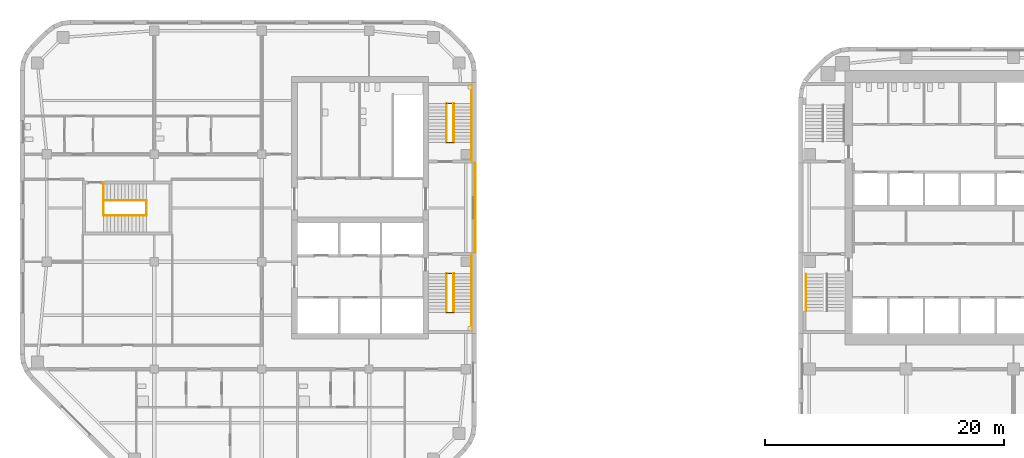
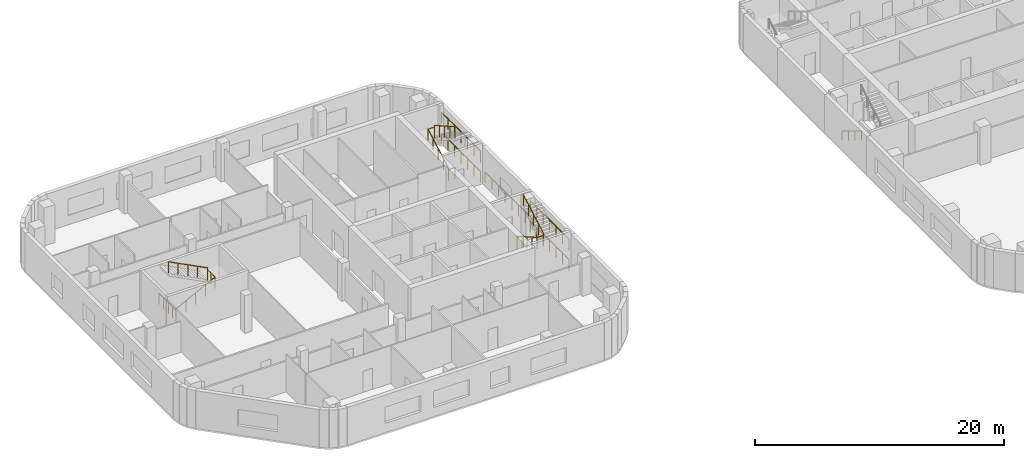
# One storey, part 13 of 15: 19 railings, 1 element without a shape of its own.
"""IFC4 building model written with IfcOpenShell, lengths in metres."""

from ifc_helpers import new_model, si_unit, direction, frame, origin, origin_2d, place, context, subcontext, project, spatial, circle, extrude, material, type_object, element, aggregate, save


model = new_model("IFC4")

# Units and contexts
model_context = context("Model", 3, precision=1e-05, world=origin(), true_north=direction((0.0, 1.0)))
body_context = subcontext(model_context, "Body", "Model", "MODEL_VIEW")
ifc_project = project(units=[si_unit("LENGTHUNIT", "METRE"), si_unit("AREAUNIT", "SQUARE_METRE"), si_unit("VOLUMEUNIT", "CUBIC_METRE"), si_unit("PLANEANGLEUNIT", "RADIAN"), si_unit("MASSUNIT", "GRAM", prefix="KILO")], contexts=[model_context])

# Site, building, storey
site_placement = place(None, origin())
site = spatial("IfcSite", under=ifc_project, at=site_placement, CompositionType="ELEMENT")
building_placement = place(site_placement, origin())
building = spatial("IfcBuilding", under=site, at=building_placement, Name="Cinnabar Reach Civic Tower", CompositionType="ELEMENT")
storey_placement = place(building_placement, frame((0.0, 0.0, 91.0)))
storey = spatial("IfcBuildingStorey", under=building, at=storey_placement, Name="L21", CompositionType="ELEMENT", Elevation=91.0)

# Stair, railing
ifc_material_1 = material(Name="Concrete C40/50", Category="concrete")
stair_type = type_object("IfcStairType", Name="T1 Exit stair, half-turn", PredefinedType="HALF_TURN_STAIR", material=ifc_material_1)
stair_placement = place(storey_placement, origin())
stair = element("IfcStair", 1, at=stair_placement, inside=storey, type_object=stair_type, Name="Stair T1-S1", PredefinedType="HALF_TURN_STAIR")
ifc_material_2 = material(Name="Stainless steel tube", Category="steel")
railing_type_1 = type_object("IfcRailingType", Name="T1 Stair handrail, stainless tube 48", PredefinedType="HANDRAIL", material=ifc_material_2)
railing_1_placement = place(storey_placement, frame((0.6, 25.95, 0.1667)))
railing_1 = element("IfcRailing", 2, at=railing_1_placement, type_object=railing_type_1, Name="T1-S1 handrail 1", PredefinedType="HANDRAIL", context=body_context, shape_type="SweptSolid", body=[
    extrude(circle(Radius=0.024, at=origin_2d()), frame((0.0, 0.0, 0.876), z_axis=(0.0, -0.859296971757, 0.511476992962), x_axis=(1.0, 0.0, 0.0)), (0.0, 0.0, 1.0), 3.5843),
    extrude(circle(Radius=0.021, at=origin_2d()), origin(), (0.0, 0.0, 1.0), 0.852),
    extrude(circle(Radius=0.021, at=origin_2d()), frame((0.0, -1.0267, 0.6111)), (0.0, 0.0, 1.0), 0.852),
    extrude(circle(Radius=0.021, at=origin_2d()), frame((0.0, -2.0533, 1.2222)), (0.0, 0.0, 1.0), 0.852),
    extrude(circle(Radius=0.021, at=origin_2d()), frame((0.0, -3.08, 1.8333)), (0.0, 0.0, 1.0), 0.852),
])
aggregate(stair, [railing_1])

# Railings
ifc_material_3 = material(Name="Stainless steel", Category="steel")
railing_type_2 = type_object("IfcRailingType", Name="T2 Stair guard 1100", PredefinedType="GUARDRAIL", material=ifc_material_3)
railing_2_placement = place(storey_placement, frame((-27.1, 27.75, 0.0)))
element("IfcRailing", 3, at=railing_2_placement, inside=storey, type_object=railing_type_2, Name="Corridor end guard", PredefinedType="GUARDRAIL", context=body_context, shape_type="SweptSolid", body=[
    extrude(circle(Radius=0.024, at=origin_2d()), frame((0.0, 0.0, 1.076), z_axis=(0.0, 1.0, 0.0), x_axis=(-1.0, 0.0, 0.0)), (0.0, 0.0, 1.0), 7.5),
    extrude(circle(Radius=0.021, at=origin_2d()), origin(), (0.0, 0.0, 1.0), 1.052),
    extrude(circle(Radius=0.021, at=origin_2d()), frame((0.0, 1.0714, 0.0)), (0.0, 0.0, 1.0), 1.052),
    extrude(circle(Radius=0.021, at=origin_2d()), frame((0.0, 2.1429, 0.0)), (0.0, 0.0, 1.0), 1.052),
    extrude(circle(Radius=0.021, at=origin_2d()), frame((0.0, 3.2143, 0.0)), (0.0, 0.0, 1.0), 1.052),
    extrude(circle(Radius=0.021, at=origin_2d()), frame((0.0, 4.2857, 0.0)), (0.0, 0.0, 1.0), 1.052),
    extrude(circle(Radius=0.021, at=origin_2d()), frame((0.0, 5.3571, 0.0)), (0.0, 0.0, 1.0), 1.052),
    extrude(circle(Radius=0.021, at=origin_2d()), frame((0.0, 6.4286, 0.0)), (0.0, 0.0, 1.0), 1.052),
    extrude(circle(Radius=0.021, at=origin_2d()), frame((0.0, 7.5, 0.0)), (0.0, 0.0, 1.0), 1.052),
])
for number, where, name in (
    (4, (-27.4, 21.25, 0.0), "Stair guard 1"),
    (5, (-27.4, 21.25, 2.0), "Stair guard 1"),
):
    element("IfcRailing", number, at=place(storey_placement, frame(where)), inside=storey, type_object=railing_type_2, Name=name, PredefinedType="GUARDRAIL", context=body_context, shape_type="SweptSolid", body=[
        extrude(circle(Radius=0.024, at=origin_2d()), frame((0.0, 0.0, 1.076), z_axis=(0.0, 1.0, 0.0), x_axis=(-1.0, 0.0, 0.0)), (0.0, 0.0, 1.0), 6.25),
        extrude(circle(Radius=0.021, at=origin_2d()), origin(), (0.0, 0.0, 1.0), 1.052),
        extrude(circle(Radius=0.021, at=origin_2d()), frame((0.0, 1.0417, 0.0)), (0.0, 0.0, 1.0), 1.052),
        extrude(circle(Radius=0.021, at=origin_2d()), frame((0.0, 2.0833, 0.0)), (0.0, 0.0, 1.0), 1.052),
        extrude(circle(Radius=0.021, at=origin_2d()), frame((0.0, 3.125, 0.0)), (0.0, 0.0, 1.0), 1.052),
        extrude(circle(Radius=0.021, at=origin_2d()), frame((0.0, 4.1667, 0.0)), (0.0, 0.0, 1.0), 1.052),
        extrude(circle(Radius=0.021, at=origin_2d()), frame((0.0, 5.2083, 0.0)), (0.0, 0.0, 1.0), 1.052),
        extrude(circle(Radius=0.021, at=origin_2d()), frame((0.0, 6.25, 0.0)), (0.0, 0.0, 1.0), 1.052),
    ])
for number, where, name in (
    (6, (-29.5, 26.0, 0.0), "Stair guard 1"),
    (7, (-29.5, 22.75, 2.0), "Stair guard 1"),
):
    element("IfcRailing", number, at=place(storey_placement, frame(where)), inside=storey, type_object=railing_type_2, Name=name, PredefinedType="GUARDRAIL", context=body_context, shape_type="SweptSolid", body=[
        extrude(circle(Radius=0.024, at=origin_2d()), frame((0.0, 0.0, 1.076), z_axis=(1.0, 0.0, 0.0), x_axis=(0.0, 1.0, 0.0)), (0.0, 0.0, 1.0), 0.6),
        extrude(circle(Radius=0.021, at=origin_2d()), origin(), (0.0, 0.0, 1.0), 1.052),
        extrude(circle(Radius=0.021, at=origin_2d()), frame((0.6, 0.0, 0.0)), (0.0, 0.0, 1.0), 1.052),
    ])
railing_3_placement = place(storey_placement, frame((-29.5, 26.0, 0.1538)))
element("IfcRailing", 8, at=railing_3_placement, inside=storey, type_object=railing_type_2, Name="Stair guard 1", PredefinedType="GUARDRAIL", context=body_context, shape_type="SweptSolid", body=[
    extrude(circle(Radius=0.024, at=origin_2d()), frame((0.0, 0.0, 1.076), z_axis=(0.0, -0.869501474428, 0.493930345258), x_axis=(1.0, 0.0, 0.0)), (0.0, 0.0, 1.0), 3.7378),
    extrude(circle(Radius=0.021, at=origin_2d()), origin(), (0.0, 0.0, 1.0), 1.052),
    extrude(circle(Radius=0.021, at=origin_2d()), frame((0.0, -0.8125, 0.4615)), (0.0, 0.0, 1.0), 1.052),
    extrude(circle(Radius=0.021, at=origin_2d()), frame((0.0, -1.625, 0.9231)), (0.0, 0.0, 1.0), 1.052),
    extrude(circle(Radius=0.021, at=origin_2d()), frame((0.0, -2.4375, 1.3846)), (0.0, 0.0, 1.0), 1.052),
    extrude(circle(Radius=0.021, at=origin_2d()), frame((0.0, -3.25, 1.8462)), (0.0, 0.0, 1.0), 1.052),
])
railing_4_placement = place(storey_placement, frame((-28.9, 22.75, 2.1538)))
element("IfcRailing", 9, at=railing_4_placement, inside=storey, type_object=railing_type_2, Name="Stair guard 1", PredefinedType="GUARDRAIL", context=body_context, shape_type="SweptSolid", body=[
    extrude(circle(Radius=0.024, at=origin_2d()), frame((0.0, 0.0, 1.076), z_axis=(0.0, 0.869501474428, 0.493930345258), x_axis=(-1.0, 0.0, 0.0)), (0.0, 0.0, 1.0), 3.7378),
    extrude(circle(Radius=0.021, at=origin_2d()), origin(), (0.0, 0.0, 1.0), 1.052),
    extrude(circle(Radius=0.021, at=origin_2d()), frame((0.0, 0.8125, 0.4615)), (0.0, 0.0, 1.0), 1.052),
    extrude(circle(Radius=0.021, at=origin_2d()), frame((0.0, 1.625, 0.9231)), (0.0, 0.0, 1.0), 1.052),
    extrude(circle(Radius=0.021, at=origin_2d()), frame((0.0, 2.4375, 1.3846)), (0.0, 0.0, 1.0), 1.052),
    extrude(circle(Radius=0.021, at=origin_2d()), frame((0.0, 3.25, 1.8462)), (0.0, 0.0, 1.0), 1.052),
])
for number, where, name in (
    (10, (-27.4, 35.5, 0.0), "Stair guard 2"),
    (11, (-27.4, 35.5, 2.0), "Stair guard 2"),
):
    element("IfcRailing", number, at=place(storey_placement, frame(where)), inside=storey, type_object=railing_type_2, Name=name, PredefinedType="GUARDRAIL", context=body_context, shape_type="SweptSolid", body=[
        extrude(circle(Radius=0.024, at=origin_2d()), frame((0.0, 0.0, 1.076), z_axis=(0.0, 1.0, 0.0), x_axis=(-1.0, 0.0, 0.0)), (0.0, 0.0, 1.0), 6.25),
        extrude(circle(Radius=0.021, at=origin_2d()), origin(), (0.0, 0.0, 1.0), 1.052),
        extrude(circle(Radius=0.021, at=origin_2d()), frame((0.0, 1.0417, 0.0)), (0.0, 0.0, 1.0), 1.052),
        extrude(circle(Radius=0.021, at=origin_2d()), frame((0.0, 2.0833, 0.0)), (0.0, 0.0, 1.0), 1.052),
        extrude(circle(Radius=0.021, at=origin_2d()), frame((0.0, 3.125, 0.0)), (0.0, 0.0, 1.0), 1.052),
        extrude(circle(Radius=0.021, at=origin_2d()), frame((0.0, 4.1667, 0.0)), (0.0, 0.0, 1.0), 1.052),
        extrude(circle(Radius=0.021, at=origin_2d()), frame((0.0, 5.2083, 0.0)), (0.0, 0.0, 1.0), 1.052),
        extrude(circle(Radius=0.021, at=origin_2d()), frame((0.0, 6.25, 0.0)), (0.0, 0.0, 1.0), 1.052),
    ])
for number, where, name in (
    (12, (-29.5, 37.0, 0.0), "Stair guard 2"),
    (13, (-29.5, 40.25, 2.0), "Stair guard 2"),
):
    element("IfcRailing", number, at=place(storey_placement, frame(where)), inside=storey, type_object=railing_type_2, Name=name, PredefinedType="GUARDRAIL", context=body_context, shape_type="SweptSolid", body=[
        extrude(circle(Radius=0.024, at=origin_2d()), frame((0.0, 0.0, 1.076), z_axis=(1.0, 0.0, 0.0), x_axis=(0.0, 1.0, 0.0)), (0.0, 0.0, 1.0), 0.6),
        extrude(circle(Radius=0.021, at=origin_2d()), origin(), (0.0, 0.0, 1.0), 1.052),
        extrude(circle(Radius=0.021, at=origin_2d()), frame((0.6, 0.0, 0.0)), (0.0, 0.0, 1.0), 1.052),
    ])
railing_5_placement = place(storey_placement, frame((-29.5, 37.0, 0.1538)))
element("IfcRailing", 14, at=railing_5_placement, inside=storey, type_object=railing_type_2, Name="Stair guard 2", PredefinedType="GUARDRAIL", context=body_context, shape_type="SweptSolid", body=[
    extrude(circle(Radius=0.024, at=origin_2d()), frame((0.0, 0.0, 1.076), z_axis=(0.0, 0.869501474428, 0.493930345258), x_axis=(-1.0, 0.0, 0.0)), (0.0, 0.0, 1.0), 3.7378),
    extrude(circle(Radius=0.021, at=origin_2d()), origin(), (0.0, 0.0, 1.0), 1.052),
    extrude(circle(Radius=0.021, at=origin_2d()), frame((0.0, 0.8125, 0.4615)), (0.0, 0.0, 1.0), 1.052),
    extrude(circle(Radius=0.021, at=origin_2d()), frame((0.0, 1.625, 0.9231)), (0.0, 0.0, 1.0), 1.052),
    extrude(circle(Radius=0.021, at=origin_2d()), frame((0.0, 2.4375, 1.3846)), (0.0, 0.0, 1.0), 1.052),
    extrude(circle(Radius=0.021, at=origin_2d()), frame((0.0, 3.25, 1.8462)), (0.0, 0.0, 1.0), 1.052),
])
railing_6_placement = place(storey_placement, frame((-28.9, 40.25, 2.1538)))
element("IfcRailing", 15, at=railing_6_placement, inside=storey, type_object=railing_type_2, Name="Stair guard 2", PredefinedType="GUARDRAIL", context=body_context, shape_type="SweptSolid", body=[
    extrude(circle(Radius=0.024, at=origin_2d()), frame((0.0, 0.0, 1.076), z_axis=(0.0, -0.869501474428, 0.493930345258), x_axis=(1.0, 0.0, 0.0)), (0.0, 0.0, 1.0), 3.7378),
    extrude(circle(Radius=0.021, at=origin_2d()), origin(), (0.0, 0.0, 1.0), 1.052),
    extrude(circle(Radius=0.021, at=origin_2d()), frame((0.0, -0.8125, 0.4615)), (0.0, 0.0, 1.0), 1.052),
    extrude(circle(Radius=0.021, at=origin_2d()), frame((0.0, -1.625, 0.9231)), (0.0, 0.0, 1.0), 1.052),
    extrude(circle(Radius=0.021, at=origin_2d()), frame((0.0, -2.4375, 1.3846)), (0.0, 0.0, 1.0), 1.052),
    extrude(circle(Radius=0.021, at=origin_2d()), frame((0.0, -3.25, 1.8462)), (0.0, 0.0, 1.0), 1.052),
])
railing_7_placement = place(storey_placement, frame((-58.25, 30.875, 0.0)))
element("IfcRailing", 16, at=railing_7_placement, inside=storey, type_object=railing_type_2, Name="Stair guard 3", PredefinedType="GUARDRAIL", context=body_context, shape_type="SweptSolid", body=[
    extrude(circle(Radius=0.024, at=origin_2d()), frame((0.0, 0.0, 1.076), z_axis=(0.0, 1.0, 0.0), x_axis=(-1.0, 0.0, 0.0)), (0.0, 0.0, 1.0), 1.25),
    extrude(circle(Radius=0.021, at=origin_2d()), origin(), (0.0, 0.0, 1.0), 1.052),
    extrude(circle(Radius=0.021, at=origin_2d()), frame((0.0, 0.625, 0.0)), (0.0, 0.0, 1.0), 1.052),
    extrude(circle(Radius=0.021, at=origin_2d()), frame((0.0, 1.25, 0.0)), (0.0, 0.0, 1.0), 1.052),
])
railing_8_placement = place(storey_placement, frame((-58.25, 32.125, 0.0)))
element("IfcRailing", 17, at=railing_8_placement, inside=storey, type_object=railing_type_2, Name="Stair guard 3", PredefinedType="GUARDRAIL", context=body_context, shape_type="SweptSolid", body=[
    extrude(circle(Radius=0.024, at=origin_2d()), frame((0.0, 0.0, 1.076), z_axis=(0.0, 1.0, 0.0), x_axis=(-1.0, 0.0, 0.0)), (0.0, 0.0, 1.0), 1.5),
    extrude(circle(Radius=0.021, at=origin_2d()), origin(), (0.0, 0.0, 1.0), 1.052),
    extrude(circle(Radius=0.021, at=origin_2d()), frame((0.0, 0.75, 0.0)), (0.0, 0.0, 1.0), 1.052),
    extrude(circle(Radius=0.021, at=origin_2d()), frame((0.0, 1.5, 0.0)), (0.0, 0.0, 1.0), 1.052),
])
railing_9_placement = place(storey_placement, frame((-54.65, 30.875, 2.0)))
element("IfcRailing", 18, at=railing_9_placement, inside=storey, type_object=railing_type_2, Name="Stair guard 3", PredefinedType="GUARDRAIL", context=body_context, shape_type="SweptSolid", body=[
    extrude(circle(Radius=0.024, at=origin_2d()), frame((0.0, 0.0, 1.076), z_axis=(0.0, 1.0, 0.0), x_axis=(-1.0, 0.0, 0.0)), (0.0, 0.0, 1.0), 1.25),
    extrude(circle(Radius=0.021, at=origin_2d()), origin(), (0.0, 0.0, 1.0), 1.052),
    extrude(circle(Radius=0.021, at=origin_2d()), frame((0.0, 0.625, 0.0)), (0.0, 0.0, 1.0), 1.052),
    extrude(circle(Radius=0.021, at=origin_2d()), frame((0.0, 1.25, 0.0)), (0.0, 0.0, 1.0), 1.052),
])
railing_10_placement = place(storey_placement, frame((-58.25, 30.875, 0.1538)))
element("IfcRailing", 19, at=railing_10_placement, inside=storey, type_object=railing_type_2, Name="Stair guard 3", PredefinedType="GUARDRAIL", context=body_context, shape_type="SweptSolid", body=[
    extrude(circle(Radius=0.024, at=origin_2d()), frame((0.0, 0.0, 1.076), z_axis=(0.889812830738, 0.0, 0.45632568003), x_axis=(0.0, 1.0, 0.0)), (0.0, 0.0, 1.0), 4.0458),
    extrude(circle(Radius=0.021, at=origin_2d()), origin(), (0.0, 0.0, 1.0), 1.052),
    extrude(circle(Radius=0.021, at=origin_2d()), frame((0.9, 0.0, 0.4615)), (0.0, 0.0, 1.0), 1.052),
    extrude(circle(Radius=0.021, at=origin_2d()), frame((1.8, 0.0, 0.9231)), (0.0, 0.0, 1.0), 1.052),
    extrude(circle(Radius=0.021, at=origin_2d()), frame((2.7, 0.0, 1.3846)), (0.0, 0.0, 1.0), 1.052),
    extrude(circle(Radius=0.021, at=origin_2d()), frame((3.6, 0.0, 1.8462)), (0.0, 0.0, 1.0), 1.052),
])
railing_11_placement = place(storey_placement, frame((-54.65, 32.125, 2.1538)))
element("IfcRailing", 20, at=railing_11_placement, inside=storey, type_object=railing_type_2, Name="Stair guard 3", PredefinedType="GUARDRAIL", context=body_context, shape_type="SweptSolid", body=[
    extrude(circle(Radius=0.024, at=origin_2d()), frame((0.0, 0.0, 1.076), z_axis=(-0.889812830738, 0.0, 0.45632568003), x_axis=(0.0, -1.0, 0.0)), (0.0, 0.0, 1.0), 4.0458),
    extrude(circle(Radius=0.021, at=origin_2d()), origin(), (0.0, 0.0, 1.0), 1.052),
    extrude(circle(Radius=0.021, at=origin_2d()), frame((-0.9, 0.0, 0.4615)), (0.0, 0.0, 1.0), 1.052),
    extrude(circle(Radius=0.021, at=origin_2d()), frame((-1.8, 0.0, 0.9231)), (0.0, 0.0, 1.0), 1.052),
    extrude(circle(Radius=0.021, at=origin_2d()), frame((-2.7, 0.0, 1.3846)), (0.0, 0.0, 1.0), 1.052),
    extrude(circle(Radius=0.021, at=origin_2d()), frame((-3.6, 0.0, 1.8462)), (0.0, 0.0, 1.0), 1.052),
])

save(model, "model.ifc")
